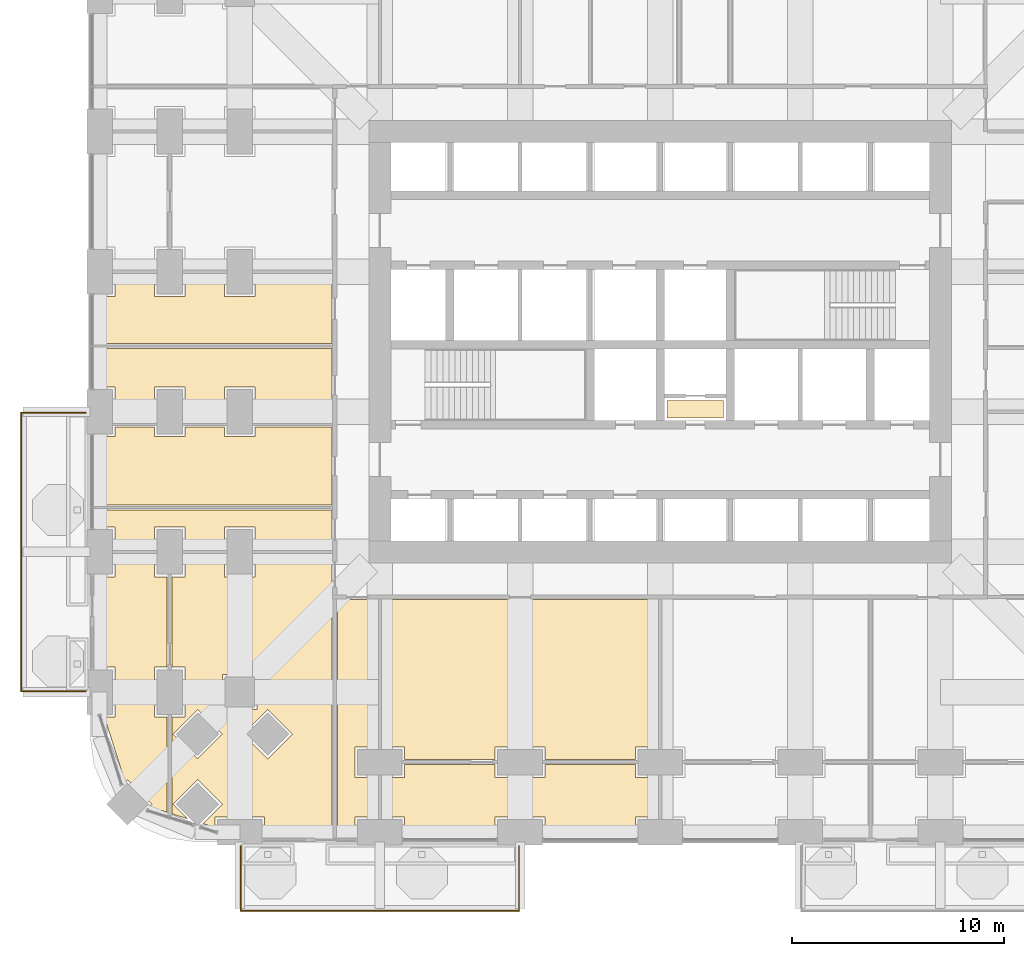
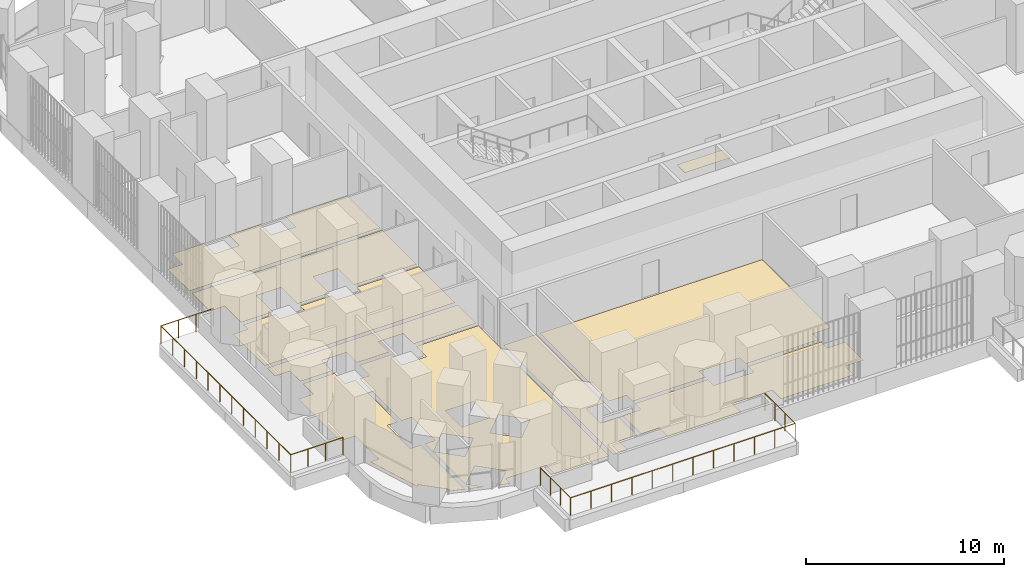
# One storey, part 23 of 27: 10 coverings, 2 railings.
"""IFC4 building model written with IfcOpenShell, lengths in metres."""

from ifc_helpers import new_model, si_unit, direction, frame, origin, place, context, subcontext, project, spatial, polyline, outline, extrude, material, layer, layer_set, type_object, element, save


model = new_model("IFC4")

# Units and contexts
model_context = context("Model", 3, precision=1e-05, world=origin(), true_north=direction((0.0, 1.0)))
body_context = subcontext(model_context, "Body", "Model", "MODEL_VIEW")
ifc_project = project(units=[si_unit("LENGTHUNIT", "METRE"), si_unit("AREAUNIT", "SQUARE_METRE"), si_unit("VOLUMEUNIT", "CUBIC_METRE"), si_unit("PLANEANGLEUNIT", "RADIAN"), si_unit("MASSUNIT", "GRAM", prefix="KILO")], contexts=[model_context])

# Site, building, storey
site_placement = place(None, origin())
site = spatial("IfcSite", under=ifc_project, at=site_placement, CompositionType="ELEMENT")
building_placement = place(site_placement, origin())
building = spatial("IfcBuilding", under=site, at=building_placement, Name="Cobogo Forest Laboratory Tower", CompositionType="ELEMENT")
storey_placement = place(building_placement, frame((0.0, 0.0, 29.699951171875)))
storey = spatial("IfcBuildingStorey", under=building, at=storey_placement, Name="L06", CompositionType="ELEMENT", Elevation=29.699951171875)

# Railings
ifc_material_1 = material(Name="Laminated glass balustrade", Category="glass")
railing_type = type_object("IfcRailingType", Name="BG1 glass balustrade 1100", PredefinedType="GUARDRAIL", material=ifc_material_1)
railing_1_placement = place(storey_placement, frame((6.64990234375, -0.64990234375, 0.0)))
element("IfcRailing", 1, at=railing_1_placement, inside=storey, type_object=railing_type, Name="Balcony balustrade BAL-S1 L06", PredefinedType="GUARDRAIL", context=body_context, shape_type="SweptSolid", body=[
    extrude(outline(polyline([(0.022216796875, 0.00927734375), (0.00927734375, 0.022216796875), (-0.00927734375, 0.022216796875), (-0.022216796875, 0.00927734375), (-0.022216796875, -0.00927734375), (-0.00927734375, -0.022216796875), (0.00927734375, -0.022216796875), (0.022216796875, -0.00927734375), (0.022216796875, 0.00927734375)])), frame((0.0, 0.0, 1.077880859375), z_axis=(0.0, -1.0, 0.0), x_axis=(1.0, 0.0, 0.0)), (0.0, 0.0, 1.0), 3.050048828125),
    extrude(outline(polyline([(0.022216796875, 0.00927734375), (0.00927734375, 0.022216796875), (-0.00927734375, 0.022216796875), (-0.022216796875, 0.00927734375), (-0.022216796875, -0.00927734375), (-0.00927734375, -0.022216796875), (0.00927734375, -0.022216796875), (0.022216796875, -0.00927734375), (0.022216796875, 0.00927734375)])), frame((0.0, -3.050048828125, 1.077880859375), z_axis=(1.0, 0.0, 0.0), x_axis=(0.0, 1.0, 0.0)), (0.0, 0.0, 1.0), 13.10009765625),
    extrude(outline(polyline([(0.022216796875, 0.00927734375), (0.00927734375, 0.022216796875), (-0.00927734375, 0.022216796875), (-0.022216796875, 0.00927734375), (-0.022216796875, -0.00927734375), (-0.00927734375, -0.022216796875), (0.00927734375, -0.022216796875), (0.022216796875, -0.00927734375), (0.022216796875, 0.00927734375)])), frame((13.10009765625, -3.050048828125, 1.077880859375), z_axis=(0.0, 1.0, 0.0), x_axis=(-1.0, 0.0, 0.0)), (0.0, 0.0, 1.0), 3.050048828125),
    extrude(outline(polyline([(0.019287109375, 0.008056640625), (0.008056640625, 0.019287109375), (-0.008056640625, 0.019287109375), (-0.019287109375, 0.008056640625), (-0.019287109375, -0.008056640625), (-0.008056640625, -0.019287109375), (0.008056640625, -0.019287109375), (0.019287109375, -0.008056640625), (0.019287109375, 0.008056640625)])), origin(), (0.0, 0.0, 1.0), 1.077880859375),
    extrude(outline(polyline([(0.019287109375, 0.008056640625), (0.008056640625, 0.019287109375), (-0.008056640625, 0.019287109375), (-0.019287109375, 0.008056640625), (-0.019287109375, -0.008056640625), (-0.008056640625, -0.019287109375), (0.008056640625, -0.019287109375), (0.019287109375, -0.008056640625), (0.019287109375, 0.008056640625)])), frame((0.0, -1.0166015625, 0.0)), (0.0, 0.0, 1.0), 1.077880859375),
    extrude(outline(polyline([(0.019287109375, 0.008056640625), (0.008056640625, 0.019287109375), (-0.008056640625, 0.019287109375), (-0.019287109375, 0.008056640625), (-0.019287109375, -0.008056640625), (-0.008056640625, -0.019287109375), (0.008056640625, -0.019287109375), (0.019287109375, -0.008056640625), (0.019287109375, 0.008056640625)])), frame((0.0, -2.033447265625, 0.0)), (0.0, 0.0, 1.0), 1.077880859375),
    extrude(outline(polyline([(0.019287109375, 0.008056640625), (0.008056640625, 0.019287109375), (-0.008056640625, 0.019287109375), (-0.019287109375, 0.008056640625), (-0.019287109375, -0.008056640625), (-0.008056640625, -0.019287109375), (0.008056640625, -0.019287109375), (0.019287109375, -0.008056640625), (0.019287109375, 0.008056640625)])), frame((0.0, -3.050048828125, 0.0)), (0.0, 0.0, 1.0), 1.077880859375),
    extrude(outline(polyline([(0.019287109375, 0.008056640625), (0.008056640625, 0.019287109375), (-0.008056640625, 0.019287109375), (-0.019287109375, 0.008056640625), (-0.019287109375, -0.008056640625), (-0.008056640625, -0.019287109375), (0.008056640625, -0.019287109375), (0.019287109375, -0.008056640625), (0.019287109375, 0.008056640625)])), frame((1.19091796875, -3.050048828125, 0.0)), (0.0, 0.0, 1.0), 1.077880859375),
    extrude(outline(polyline([(0.019287109375, 0.008056640625), (0.008056640625, 0.019287109375), (-0.008056640625, 0.019287109375), (-0.019287109375, 0.008056640625), (-0.019287109375, -0.008056640625), (-0.008056640625, -0.019287109375), (0.008056640625, -0.019287109375), (0.019287109375, -0.008056640625), (0.019287109375, 0.008056640625)])), frame((2.3818359375, -3.050048828125, 0.0)), (0.0, 0.0, 1.0), 1.077880859375),
    extrude(outline(polyline([(0.019287109375, 0.008056640625), (0.008056640625, 0.019287109375), (-0.008056640625, 0.019287109375), (-0.019287109375, 0.008056640625), (-0.019287109375, -0.008056640625), (-0.008056640625, -0.019287109375), (0.008056640625, -0.019287109375), (0.019287109375, -0.008056640625), (0.019287109375, 0.008056640625)])), frame((3.57275390625, -3.050048828125, 0.0)), (0.0, 0.0, 1.0), 1.077880859375),
    extrude(outline(polyline([(0.019287109375, 0.008056640625), (0.008056640625, 0.019287109375), (-0.008056640625, 0.019287109375), (-0.019287109375, 0.008056640625), (-0.019287109375, -0.008056640625), (-0.008056640625, -0.019287109375), (0.008056640625, -0.019287109375), (0.019287109375, -0.008056640625), (0.019287109375, 0.008056640625)])), frame((4.763671875, -3.050048828125, 0.0)), (0.0, 0.0, 1.0), 1.077880859375),
    extrude(outline(polyline([(0.019287109375, 0.008056640625), (0.008056640625, 0.019287109375), (-0.008056640625, 0.019287109375), (-0.019287109375, 0.008056640625), (-0.019287109375, -0.008056640625), (-0.008056640625, -0.019287109375), (0.008056640625, -0.019287109375), (0.019287109375, -0.008056640625), (0.019287109375, 0.008056640625)])), frame((5.95458984375, -3.050048828125, 0.0)), (0.0, 0.0, 1.0), 1.077880859375),
    extrude(outline(polyline([(0.019287109375, 0.008056640625), (0.008056640625, 0.019287109375), (-0.008056640625, 0.019287109375), (-0.019287109375, 0.008056640625), (-0.019287109375, -0.008056640625), (-0.008056640625, -0.019287109375), (0.008056640625, -0.019287109375), (0.019287109375, -0.008056640625), (0.019287109375, 0.008056640625)])), frame((7.1455078125, -3.050048828125, 0.0)), (0.0, 0.0, 1.0), 1.077880859375),
    extrude(outline(polyline([(0.019287109375, 0.008056640625), (0.008056640625, 0.019287109375), (-0.008056640625, 0.019287109375), (-0.019287109375, 0.008056640625), (-0.019287109375, -0.008056640625), (-0.008056640625, -0.019287109375), (0.008056640625, -0.019287109375), (0.019287109375, -0.008056640625), (0.019287109375, 0.008056640625)])), frame((8.33642578125, -3.050048828125, 0.0)), (0.0, 0.0, 1.0), 1.077880859375),
    extrude(outline(polyline([(0.019287109375, 0.008056640625), (0.008056640625, 0.019287109375), (-0.008056640625, 0.019287109375), (-0.019287109375, 0.008056640625), (-0.019287109375, -0.008056640625), (-0.008056640625, -0.019287109375), (0.008056640625, -0.019287109375), (0.019287109375, -0.008056640625), (0.019287109375, 0.008056640625)])), frame((9.52734375, -3.050048828125, 0.0)), (0.0, 0.0, 1.0), 1.077880859375),
    extrude(outline(polyline([(0.019287109375, 0.008056640625), (0.008056640625, 0.019287109375), (-0.008056640625, 0.019287109375), (-0.019287109375, 0.008056640625), (-0.019287109375, -0.008056640625), (-0.008056640625, -0.019287109375), (0.008056640625, -0.019287109375), (0.019287109375, -0.008056640625), (0.019287109375, 0.008056640625)])), frame((10.71826171875, -3.050048828125, 0.0)), (0.0, 0.0, 1.0), 1.077880859375),
    extrude(outline(polyline([(0.019287109375, 0.008056640625), (0.008056640625, 0.019287109375), (-0.008056640625, 0.019287109375), (-0.019287109375, 0.008056640625), (-0.019287109375, -0.008056640625), (-0.008056640625, -0.019287109375), (0.008056640625, -0.019287109375), (0.019287109375, -0.008056640625), (0.019287109375, 0.008056640625)])), frame((11.9091796875, -3.050048828125, 0.0)), (0.0, 0.0, 1.0), 1.077880859375),
    extrude(outline(polyline([(0.019287109375, 0.008056640625), (0.008056640625, 0.019287109375), (-0.008056640625, 0.019287109375), (-0.019287109375, 0.008056640625), (-0.019287109375, -0.008056640625), (-0.008056640625, -0.019287109375), (0.008056640625, -0.019287109375), (0.019287109375, -0.008056640625), (0.019287109375, 0.008056640625)])), frame((13.10009765625, -3.050048828125, 0.0)), (0.0, 0.0, 1.0), 1.077880859375),
    extrude(outline(polyline([(0.019287109375, 0.008056640625), (0.008056640625, 0.019287109375), (-0.008056640625, 0.019287109375), (-0.019287109375, 0.008056640625), (-0.019287109375, -0.008056640625), (-0.008056640625, -0.019287109375), (0.008056640625, -0.019287109375), (0.019287109375, -0.008056640625), (0.019287109375, 0.008056640625)])), frame((13.10009765625, -2.033447265625, 0.0)), (0.0, 0.0, 1.0), 1.077880859375),
    extrude(outline(polyline([(0.019287109375, 0.008056640625), (0.008056640625, 0.019287109375), (-0.008056640625, 0.019287109375), (-0.019287109375, 0.008056640625), (-0.019287109375, -0.008056640625), (-0.008056640625, -0.019287109375), (0.008056640625, -0.019287109375), (0.019287109375, -0.008056640625), (0.019287109375, 0.008056640625)])), frame((13.10009765625, -1.0166015625, 0.0)), (0.0, 0.0, 1.0), 1.077880859375),
    extrude(outline(polyline([(0.019287109375, 0.008056640625), (0.008056640625, 0.019287109375), (-0.008056640625, 0.019287109375), (-0.019287109375, 0.008056640625), (-0.019287109375, -0.008056640625), (-0.008056640625, -0.019287109375), (0.008056640625, -0.019287109375), (0.019287109375, -0.008056640625), (0.019287109375, 0.008056640625)])), frame((13.10009765625, 0.0, 0.0)), (0.0, 0.0, 1.0), 1.077880859375),
])
railing_2_placement = place(storey_placement, frame((-0.64990234375, 6.64990234375, 0.0)))
element("IfcRailing", 2, at=railing_2_placement, inside=storey, type_object=railing_type, Name="Balcony balustrade BAL-W1 L06", PredefinedType="GUARDRAIL", context=body_context, shape_type="SweptSolid", body=[
    extrude(outline(polyline([(0.022216796875, 0.00927734375), (0.00927734375, 0.022216796875), (-0.00927734375, 0.022216796875), (-0.022216796875, 0.00927734375), (-0.022216796875, -0.00927734375), (-0.00927734375, -0.022216796875), (0.00927734375, -0.022216796875), (0.022216796875, -0.00927734375), (0.022216796875, 0.00927734375)])), frame((0.0, 0.0, 1.077880859375), z_axis=(-1.0, 0.0, 0.0), x_axis=(0.0, -1.0, 0.0)), (0.0, 0.0, 1.0), 3.050048828125),
    extrude(outline(polyline([(0.022216796875, 0.00927734375), (0.00927734375, 0.022216796875), (-0.00927734375, 0.022216796875), (-0.022216796875, 0.00927734375), (-0.022216796875, -0.00927734375), (-0.00927734375, -0.022216796875), (0.00927734375, -0.022216796875), (0.022216796875, -0.00927734375), (0.022216796875, 0.00927734375)])), frame((-3.050048828125, 0.0, 1.077880859375), z_axis=(0.0, 1.0, 0.0), x_axis=(-1.0, 0.0, 0.0)), (0.0, 0.0, 1.0), 13.10009765625),
    extrude(outline(polyline([(0.022216796875, 0.00927734375), (0.00927734375, 0.022216796875), (-0.00927734375, 0.022216796875), (-0.022216796875, 0.00927734375), (-0.022216796875, -0.00927734375), (-0.00927734375, -0.022216796875), (0.00927734375, -0.022216796875), (0.022216796875, -0.00927734375), (0.022216796875, 0.00927734375)])), frame((-3.050048828125, 13.10009765625, 1.077880859375), z_axis=(1.0, 0.0, 0.0), x_axis=(0.0, 1.0, 0.0)), (0.0, 0.0, 1.0), 3.050048828125),
    extrude(outline(polyline([(0.019287109375, 0.008056640625), (0.008056640625, 0.019287109375), (-0.008056640625, 0.019287109375), (-0.019287109375, 0.008056640625), (-0.019287109375, -0.008056640625), (-0.008056640625, -0.019287109375), (0.008056640625, -0.019287109375), (0.019287109375, -0.008056640625), (0.019287109375, 0.008056640625)])), origin(), (0.0, 0.0, 1.0), 1.077880859375),
    extrude(outline(polyline([(0.019287109375, 0.008056640625), (0.008056640625, 0.019287109375), (-0.008056640625, 0.019287109375), (-0.019287109375, 0.008056640625), (-0.019287109375, -0.008056640625), (-0.008056640625, -0.019287109375), (0.008056640625, -0.019287109375), (0.019287109375, -0.008056640625), (0.019287109375, 0.008056640625)])), frame((-1.0166015625, 0.0, 0.0)), (0.0, 0.0, 1.0), 1.077880859375),
    extrude(outline(polyline([(0.019287109375, 0.008056640625), (0.008056640625, 0.019287109375), (-0.008056640625, 0.019287109375), (-0.019287109375, 0.008056640625), (-0.019287109375, -0.008056640625), (-0.008056640625, -0.019287109375), (0.008056640625, -0.019287109375), (0.019287109375, -0.008056640625), (0.019287109375, 0.008056640625)])), frame((-2.033447265625, 0.0, 0.0)), (0.0, 0.0, 1.0), 1.077880859375),
    extrude(outline(polyline([(0.019287109375, 0.008056640625), (0.008056640625, 0.019287109375), (-0.008056640625, 0.019287109375), (-0.019287109375, 0.008056640625), (-0.019287109375, -0.008056640625), (-0.008056640625, -0.019287109375), (0.008056640625, -0.019287109375), (0.019287109375, -0.008056640625), (0.019287109375, 0.008056640625)])), frame((-3.050048828125, 0.0, 0.0)), (0.0, 0.0, 1.0), 1.077880859375),
    extrude(outline(polyline([(0.019287109375, 0.008056640625), (0.008056640625, 0.019287109375), (-0.008056640625, 0.019287109375), (-0.019287109375, 0.008056640625), (-0.019287109375, -0.008056640625), (-0.008056640625, -0.019287109375), (0.008056640625, -0.019287109375), (0.019287109375, -0.008056640625), (0.019287109375, 0.008056640625)])), frame((-3.050048828125, 1.19091796875, 0.0)), (0.0, 0.0, 1.0), 1.077880859375),
    extrude(outline(polyline([(0.019287109375, 0.008056640625), (0.008056640625, 0.019287109375), (-0.008056640625, 0.019287109375), (-0.019287109375, 0.008056640625), (-0.019287109375, -0.008056640625), (-0.008056640625, -0.019287109375), (0.008056640625, -0.019287109375), (0.019287109375, -0.008056640625), (0.019287109375, 0.008056640625)])), frame((-3.050048828125, 2.3818359375, 0.0)), (0.0, 0.0, 1.0), 1.077880859375),
    extrude(outline(polyline([(0.019287109375, 0.008056640625), (0.008056640625, 0.019287109375), (-0.008056640625, 0.019287109375), (-0.019287109375, 0.008056640625), (-0.019287109375, -0.008056640625), (-0.008056640625, -0.019287109375), (0.008056640625, -0.019287109375), (0.019287109375, -0.008056640625), (0.019287109375, 0.008056640625)])), frame((-3.050048828125, 3.57275390625, 0.0)), (0.0, 0.0, 1.0), 1.077880859375),
    extrude(outline(polyline([(0.019287109375, 0.008056640625), (0.008056640625, 0.019287109375), (-0.008056640625, 0.019287109375), (-0.019287109375, 0.008056640625), (-0.019287109375, -0.008056640625), (-0.008056640625, -0.019287109375), (0.008056640625, -0.019287109375), (0.019287109375, -0.008056640625), (0.019287109375, 0.008056640625)])), frame((-3.050048828125, 4.763671875, 0.0)), (0.0, 0.0, 1.0), 1.077880859375),
    extrude(outline(polyline([(0.019287109375, 0.008056640625), (0.008056640625, 0.019287109375), (-0.008056640625, 0.019287109375), (-0.019287109375, 0.008056640625), (-0.019287109375, -0.008056640625), (-0.008056640625, -0.019287109375), (0.008056640625, -0.019287109375), (0.019287109375, -0.008056640625), (0.019287109375, 0.008056640625)])), frame((-3.050048828125, 5.95458984375, 0.0)), (0.0, 0.0, 1.0), 1.077880859375),
    extrude(outline(polyline([(0.019287109375, 0.008056640625), (0.008056640625, 0.019287109375), (-0.008056640625, 0.019287109375), (-0.019287109375, 0.008056640625), (-0.019287109375, -0.008056640625), (-0.008056640625, -0.019287109375), (0.008056640625, -0.019287109375), (0.019287109375, -0.008056640625), (0.019287109375, 0.008056640625)])), frame((-3.050048828125, 7.1455078125, 0.0)), (0.0, 0.0, 1.0), 1.077880859375),
    extrude(outline(polyline([(0.019287109375, 0.008056640625), (0.008056640625, 0.019287109375), (-0.008056640625, 0.019287109375), (-0.019287109375, 0.008056640625), (-0.019287109375, -0.008056640625), (-0.008056640625, -0.019287109375), (0.008056640625, -0.019287109375), (0.019287109375, -0.008056640625), (0.019287109375, 0.008056640625)])), frame((-3.050048828125, 8.33642578125, 0.0)), (0.0, 0.0, 1.0), 1.077880859375),
    extrude(outline(polyline([(0.019287109375, 0.008056640625), (0.008056640625, 0.019287109375), (-0.008056640625, 0.019287109375), (-0.019287109375, 0.008056640625), (-0.019287109375, -0.008056640625), (-0.008056640625, -0.019287109375), (0.008056640625, -0.019287109375), (0.019287109375, -0.008056640625), (0.019287109375, 0.008056640625)])), frame((-3.050048828125, 9.52734375, 0.0)), (0.0, 0.0, 1.0), 1.077880859375),
    extrude(outline(polyline([(0.019287109375, 0.008056640625), (0.008056640625, 0.019287109375), (-0.008056640625, 0.019287109375), (-0.019287109375, 0.008056640625), (-0.019287109375, -0.008056640625), (-0.008056640625, -0.019287109375), (0.008056640625, -0.019287109375), (0.019287109375, -0.008056640625), (0.019287109375, 0.008056640625)])), frame((-3.050048828125, 10.71826171875, 0.0)), (0.0, 0.0, 1.0), 1.077880859375),
    extrude(outline(polyline([(0.019287109375, 0.008056640625), (0.008056640625, 0.019287109375), (-0.008056640625, 0.019287109375), (-0.019287109375, 0.008056640625), (-0.019287109375, -0.008056640625), (-0.008056640625, -0.019287109375), (0.008056640625, -0.019287109375), (0.019287109375, -0.008056640625), (0.019287109375, 0.008056640625)])), frame((-3.050048828125, 11.9091796875, 0.0)), (0.0, 0.0, 1.0), 1.077880859375),
    extrude(outline(polyline([(0.019287109375, 0.008056640625), (0.008056640625, 0.019287109375), (-0.008056640625, 0.019287109375), (-0.019287109375, 0.008056640625), (-0.019287109375, -0.008056640625), (-0.008056640625, -0.019287109375), (0.008056640625, -0.019287109375), (0.019287109375, -0.008056640625), (0.019287109375, 0.008056640625)])), frame((-3.050048828125, 13.10009765625, 0.0)), (0.0, 0.0, 1.0), 1.077880859375),
    extrude(outline(polyline([(0.019287109375, 0.008056640625), (0.008056640625, 0.019287109375), (-0.008056640625, 0.019287109375), (-0.019287109375, 0.008056640625), (-0.019287109375, -0.008056640625), (-0.008056640625, -0.019287109375), (0.008056640625, -0.019287109375), (0.019287109375, -0.008056640625), (0.019287109375, 0.008056640625)])), frame((-2.033447265625, 13.10009765625, 0.0)), (0.0, 0.0, 1.0), 1.077880859375),
    extrude(outline(polyline([(0.019287109375, 0.008056640625), (0.008056640625, 0.019287109375), (-0.008056640625, 0.019287109375), (-0.019287109375, 0.008056640625), (-0.019287109375, -0.008056640625), (-0.008056640625, -0.019287109375), (0.008056640625, -0.019287109375), (0.019287109375, -0.008056640625), (0.019287109375, 0.008056640625)])), frame((-1.0166015625, 13.10009765625, 0.0)), (0.0, 0.0, 1.0), 1.077880859375),
    extrude(outline(polyline([(0.019287109375, 0.008056640625), (0.008056640625, 0.019287109375), (-0.008056640625, 0.019287109375), (-0.019287109375, 0.008056640625), (-0.019287109375, -0.008056640625), (-0.008056640625, -0.019287109375), (0.008056640625, -0.019287109375), (0.019287109375, -0.008056640625), (0.019287109375, 0.008056640625)])), frame((0.0, 13.10009765625, 0.0)), (0.0, 0.0, 1.0), 1.077880859375),
])

# Coverings
ifc_material_2 = material(Name="Carpet tile on raised access floor", Category="flooring")
ifc_layer_1 = layer(ifc_material_2, 0.008056640625)
ifc_layer_set_1 = layer_set([ifc_layer_1], Name="CT1 carpet tile floor 8")
covering_type_1 = type_object("IfcCoveringType", Name="CT1 carpet tile floor 8", PredefinedType="FLOORING", material=ifc_layer_set_1)
covering_1_placement = place(storey_placement, origin())
element("IfcCovering", 3, at=covering_1_placement, inside=storey, type_object=covering_type_1, Name="Carpet floor L06-01", PredefinedType="FLOORING", context=body_context, shape_type="SweptSolid", body=[
    extrude(outline(polyline([(13.080078125, 10.955078125), (13.080078125, 4.02001953125), (12.030029296875, 4.02001953125), (12.030029296875, 2.580078125), (13.080078125, 2.580078125), (13.080078125, 0.719970703125), (12.030029296875, 0.719970703125), (12.030029296875, -0.14990234375), (11.195068359375, -0.14990234375), (11.195068359375, 10.955078125), (13.080078125, 10.955078125)])), origin(), (0.0, 0.0, 1.0), 0.008056640625),
])
covering_2_placement = place(storey_placement, origin())
element("IfcCovering", 4, at=covering_2_placement, inside=storey, type_object=covering_type_1, Name="Carpet floor L06-03", PredefinedType="FLOORING", context=body_context, shape_type="SweptSolid", body=[
    extrude(outline(polyline([(18.6298828125, 3.179931640625), (18.6298828125, 2.580078125), (20.969970703125, 2.580078125), (20.969970703125, 3.179931640625), (25.22998046875, 3.179931640625), (25.22998046875, 2.580078125), (26.280029296875, 2.580078125), (26.280029296875, 0.719970703125), (25.22998046875, 0.719970703125), (25.22998046875, -0.14990234375), (20.969970703125, -0.14990234375), (20.969970703125, 0.719970703125), (18.6298828125, 0.719970703125), (18.6298828125, -0.14990234375), (14.3701171875, -0.14990234375), (14.3701171875, 0.719970703125), (13.320068359375, 0.719970703125), (13.320068359375, 2.580078125), (14.3701171875, 2.580078125), (14.3701171875, 3.179931640625), (18.6298828125, 3.179931640625)])), origin(), (0.0, 0.0, 1.0), 0.008056640625),
])
covering_3_placement = place(storey_placement, origin())
element("IfcCovering", 5, at=covering_3_placement, inside=storey, type_object=covering_type_1, Name="Carpet floor L06-29", PredefinedType="FLOORING", context=body_context, shape_type="SweptSolid", body=[
    extrude(outline(polyline([(3.179931640625, 7.77001953125), (2.580078125, 7.77001953125), (2.580078125, 5.429931640625), (3.179931640625, 5.429931640625), (3.179931640625, 0.939697265625), (2.358642578125, 1.19921875), (2.477783203125, 1.318115234375), (1.318115234375, 2.477783203125), (1.19921875, 2.358642578125), (0.229248046875, 5.429931640625), (0.719970703125, 5.429931640625), (0.719970703125, 7.77001953125), (-0.14990234375, 7.77001953125), (-0.14990234375, 12.030029296875), (0.719970703125, 12.030029296875), (0.719970703125, 13.080078125), (2.580078125, 13.080078125), (2.580078125, 12.030029296875), (3.179931640625, 12.030029296875), (3.179931640625, 7.77001953125)])), origin(), (0.0, 0.0, 1.0), 0.008056640625),
])
covering_4_placement = place(storey_placement, origin())
element("IfcCovering", 6, at=covering_4_placement, inside=storey, type_object=covering_type_1, Name="Carpet floor L06-43", PredefinedType="FLOORING", context=body_context, shape_type="SweptSolid", body=[
    extrude(outline(polyline([(29.3798828125, 19.52001953125), (26.719970703125, 19.52001953125), (26.719970703125, 20.330078125), (29.3798828125, 20.330078125), (29.3798828125, 19.52001953125)])), origin(), (0.0, 0.0, 1.0), 0.008056640625),
])
ifc_material_3 = material(Name="Epoxy resin flooring", Category="flooring")
ifc_layer_2 = layer(ifc_material_3, 0.00390625)
ifc_layer_set_2 = layer_set([ifc_layer_2], Name="LF1 epoxy laboratory floor 4")
covering_type_2 = type_object("IfcCoveringType", Name="LF1 epoxy laboratory floor 4", PredefinedType="FLOORING", material=ifc_layer_set_2)
covering_5_placement = place(storey_placement, origin())
element("IfcCovering", 7, at=covering_5_placement, inside=storey, type_object=covering_type_2, Name="Epoxy laboratory floor L06-02", PredefinedType="FLOORING", context=body_context, shape_type="SweptSolid", body=[
    extrude(outline(polyline([(13.320068359375, 10.955078125), (26.280029296875, 10.955078125), (26.280029296875, 4.02001953125), (25.22998046875, 4.02001953125), (25.22998046875, 3.419921875), (20.969970703125, 3.419921875), (20.969970703125, 4.02001953125), (18.6298828125, 4.02001953125), (18.6298828125, 3.419921875), (14.3701171875, 3.419921875), (14.3701171875, 4.02001953125), (13.320068359375, 4.02001953125), (13.320068359375, 10.955078125)])), origin(), (0.0, 0.0, 1.0), 0.004150390625),
])
covering_6_placement = place(storey_placement, origin())
element("IfcCovering", 8, at=covering_6_placement, inside=storey, type_object=covering_type_2, Name="Epoxy laboratory floor L06-28", PredefinedType="FLOORING", context=body_context, shape_type="SweptSolid", body=[
    extrude(outline(polyline([(5.8798828125, 13.080078125), (5.8798828125, 12.030029296875), (7.320068359375, 12.030029296875), (7.320068359375, 13.080078125), (10.955078125, 13.080078125), (10.955078125, -0.14990234375), (7.77001953125, -0.14990234375), (7.77001953125, 0.719970703125), (5.429931640625, 0.719970703125), (5.429931640625, 0.229248046875), (4.86669921875, 0.406982421875), (5.777587890625, 1.318115234375), (4.617919921875, 2.477783203125), (3.458251953125, 1.318115234375), (4.1396484375, 0.63671875), (3.419921875, 0.864013671875), (3.419921875, 5.429931640625), (4.02001953125, 5.429931640625), (4.02001953125, 7.77001953125), (3.419921875, 7.77001953125), (3.419921875, 12.030029296875), (4.02001953125, 12.030029296875), (4.02001953125, 13.080078125), (5.8798828125, 13.080078125)]), holes=[polyline([(7.91796875, 5.777587890625), (6.75830078125, 4.617919921875), (7.91796875, 3.458251953125), (9.07763671875, 4.617919921875), (7.91796875, 5.777587890625)]), polyline([(5.780029296875, 7.419921875), (5.780029296875, 5.780029296875), (7.419921875, 5.780029296875), (7.419921875, 7.419921875), (5.780029296875, 7.419921875)]), polyline([(3.458251953125, 4.617919921875), (4.617919921875, 3.458251953125), (5.777587890625, 4.617919921875), (4.617919921875, 5.777587890625), (3.458251953125, 4.617919921875)])]), origin(), (0.0, 0.0, 1.0), 0.004150390625),
])
ifc_material_4 = material(Name="Ceramic floor tile", Category="flooring")
ifc_layer_3 = layer(ifc_material_4, 0.010009765625)
ifc_layer_set_3 = layer_set([ifc_layer_3], Name="TF1 ceramic tile floor 10")
covering_type_3 = type_object("IfcCoveringType", Name="TF1 ceramic tile floor 10", PredefinedType="FLOORING", material=ifc_layer_set_3)
covering_7_placement = place(storey_placement, origin())
element("IfcCovering", 9, at=covering_7_placement, inside=storey, type_object=covering_type_3, Name="Tile floor L06-30", PredefinedType="FLOORING", context=body_context, shape_type="SweptSolid", body=[
    extrude(outline(polyline([(10.955078125, 13.320068359375), (7.320068359375, 13.320068359375), (7.320068359375, 14.3701171875), (5.8798828125, 14.3701171875), (5.8798828125, 13.320068359375), (4.02001953125, 13.320068359375), (4.02001953125, 14.3701171875), (2.580078125, 14.3701171875), (2.580078125, 13.320068359375), (0.719970703125, 13.320068359375), (0.719970703125, 14.3701171875), (-0.14990234375, 14.3701171875), (-0.14990234375, 15.179931640625), (10.955078125, 15.179931640625), (10.955078125, 13.320068359375)])), origin(), (0.0, 0.0, 1.0), 0.010009765625),
])
covering_8_placement = place(storey_placement, origin())
element("IfcCovering", 10, at=covering_8_placement, inside=storey, type_object=covering_type_3, Name="Tile floor L06-31", PredefinedType="FLOORING", context=body_context, shape_type="SweptSolid", body=[
    extrude(outline(polyline([(10.955078125, 15.419921875), (-0.14990234375, 15.419921875), (-0.14990234375, 18.6298828125), (0.719970703125, 18.6298828125), (0.719970703125, 19.080078125), (2.580078125, 19.080078125), (2.580078125, 18.6298828125), (4.02001953125, 18.6298828125), (4.02001953125, 19.080078125), (5.8798828125, 19.080078125), (5.8798828125, 18.6298828125), (7.320068359375, 18.6298828125), (7.320068359375, 19.080078125), (10.955078125, 19.080078125), (10.955078125, 15.419921875)])), origin(), (0.0, 0.0, 1.0), 0.010009765625),
])
covering_9_placement = place(storey_placement, origin())
element("IfcCovering", 11, at=covering_9_placement, inside=storey, type_object=covering_type_3, Name="Tile floor L06-32", PredefinedType="FLOORING", context=body_context, shape_type="SweptSolid", body=[
    extrude(outline(polyline([(10.955078125, 19.320068359375), (7.320068359375, 19.320068359375), (7.320068359375, 20.969970703125), (5.8798828125, 20.969970703125), (5.8798828125, 19.320068359375), (4.02001953125, 19.320068359375), (4.02001953125, 20.969970703125), (2.580078125, 20.969970703125), (2.580078125, 19.320068359375), (0.719970703125, 19.320068359375), (0.719970703125, 20.969970703125), (-0.14990234375, 20.969970703125), (-0.14990234375, 22.780029296875), (10.955078125, 22.780029296875), (10.955078125, 19.320068359375)])), origin(), (0.0, 0.0, 1.0), 0.010009765625),
])
covering_10_placement = place(storey_placement, origin())
element("IfcCovering", 12, at=covering_10_placement, inside=storey, type_object=covering_type_3, Name="Tile floor L06-33", PredefinedType="FLOORING", context=body_context, shape_type="SweptSolid", body=[
    extrude(outline(polyline([(10.955078125, 23.02001953125), (-0.14990234375, 23.02001953125), (-0.14990234375, 25.22998046875), (0.719970703125, 25.22998046875), (0.719970703125, 26.280029296875), (2.580078125, 26.280029296875), (2.580078125, 25.22998046875), (4.02001953125, 25.22998046875), (4.02001953125, 26.280029296875), (5.8798828125, 26.280029296875), (5.8798828125, 25.22998046875), (7.320068359375, 25.22998046875), (7.320068359375, 26.280029296875), (10.955078125, 26.280029296875), (10.955078125, 23.02001953125)])), origin(), (0.0, 0.0, 1.0), 0.010009765625),
])

save(model, "model.ifc")
